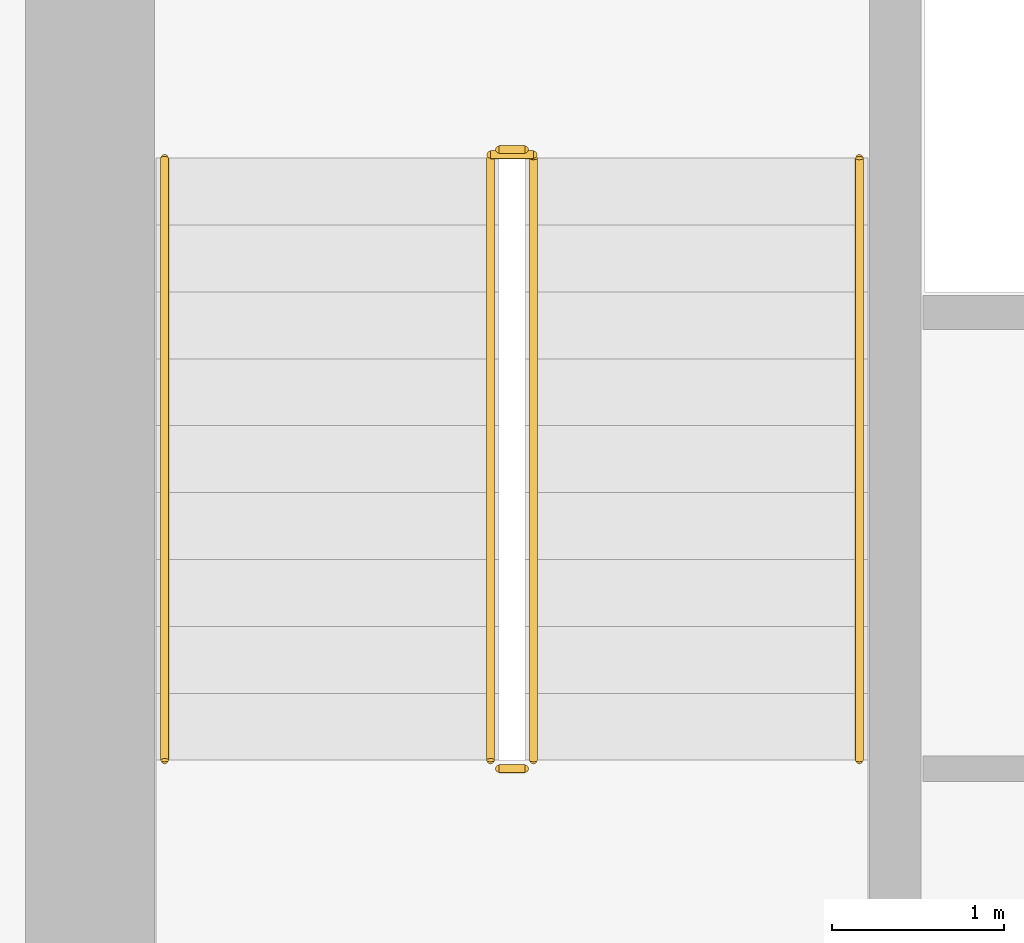
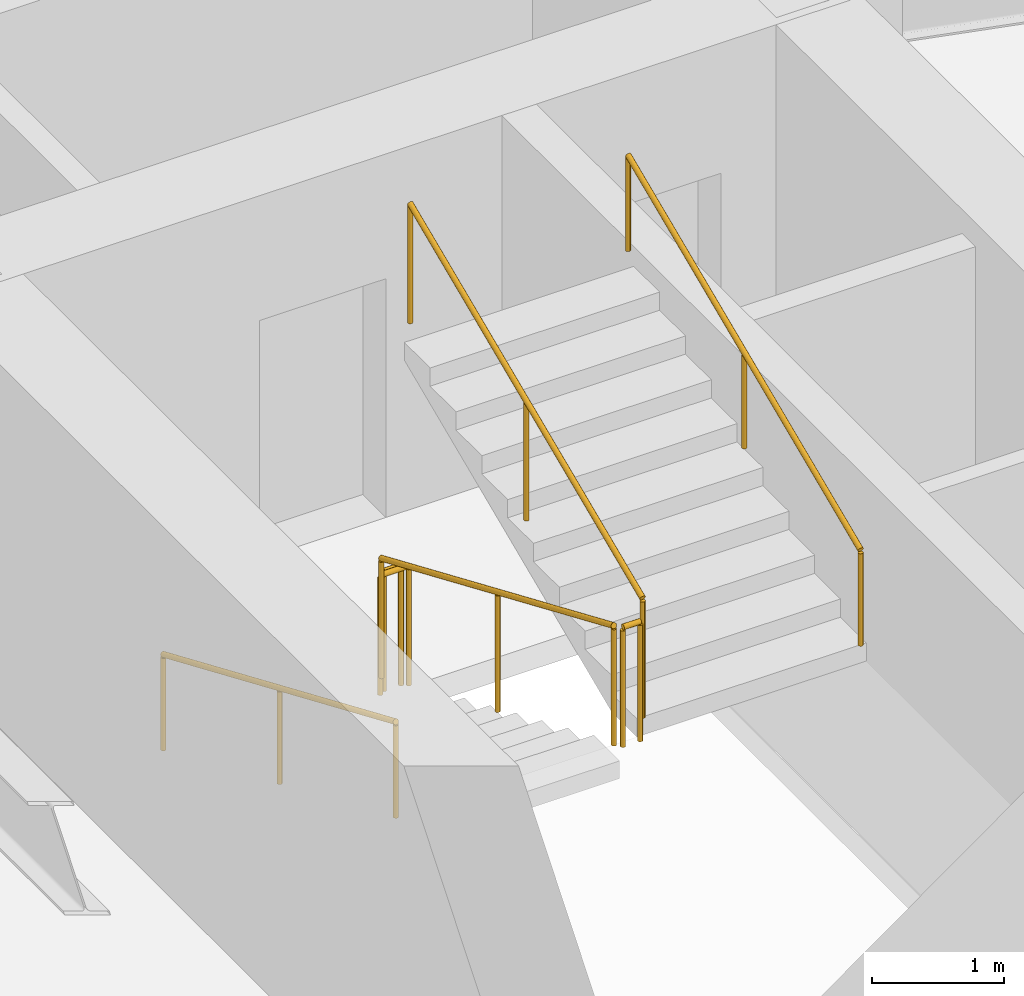
# One storey, part 30 of 33: 7 railings.
"""IFC4 building model written with IfcOpenShell, lengths in metres."""

from ifc_helpers import new_model, si_unit, direction, frame, origin, origin_2d, place, context, subcontext, project, spatial, circle, extrude, material, layer, layer_set, type_object, element, save


model = new_model("IFC4")

# Units and contexts
model_context = context("Model", 3, precision=1e-05, world=origin(), true_north=direction((0.0, 1.0)))
body_context = subcontext(model_context, "Body", "Model", "MODEL_VIEW")
ifc_project = project(units=[si_unit("LENGTHUNIT", "METRE"), si_unit("AREAUNIT", "SQUARE_METRE"), si_unit("VOLUMEUNIT", "CUBIC_METRE"), si_unit("PLANEANGLEUNIT", "RADIAN"), si_unit("MASSUNIT", "GRAM", prefix="KILO")], contexts=[model_context])

# Site, building, storey
site_placement = place(None, origin())
site = spatial("IfcSite", under=ifc_project, at=site_placement, CompositionType="ELEMENT")
building_placement = place(site_placement, origin())
building = spatial("IfcBuilding", under=site, at=building_placement, Name="Hatsunagi Terrace Concourse", CompositionType="ELEMENT")
storey_placement = place(building_placement, frame((0.0, 0.0, 53.35009765625)))
storey = spatial("IfcBuildingStorey", under=building, at=storey_placement, Name="L13", CompositionType="ELEMENT", Elevation=53.35009765625)

# Railings
ifc_material_1 = material(Name="Stainless steel", Category="steel")
ifc_layer_1 = layer(ifc_material_1, 0.044921875)
ifc_layer_set_1 = layer_set([ifc_layer_1], Name="StairPitchHandrail_Tower2000")
railing_type_1 = type_object("IfcRailingType", Name="StairPitchHandrail_Tower2000", PredefinedType="HANDRAIL", material=ifc_layer_set_1)
railing_1_placement = place(storey_placement, frame((36.550048828125, 32.659912109375, 0.16748046875)))
element("IfcRailing", 1, at=railing_1_placement, inside=storey, type_object=railing_type_1, Name="L13 ST-B stair handrail 1", PredefinedType="HANDRAIL", context=body_context, shape_type="SweptSolid", body=[
    extrude(circle(Radius=0.02392578125, at=origin_2d()), frame((0.0, 0.0, 0.8759765625), z_axis=(0.0, -0.918857182807, 0.394590265469), x_axis=(1.0, 0.0, 0.0)), (0.0, 0.0, 1.0), 3.820068359375),
    extrude(circle(Radius=0.02099609375, at=origin_2d()), origin(), (0.0, 0.0, 1.0), 0.851806640625),
    extrude(circle(Radius=0.02099609375, at=origin_2d()), frame((0.0, -1.7548828125, 0.753662109375)), (0.0, 0.0, 1.0), 0.851806640625),
    extrude(circle(Radius=0.02099609375, at=origin_2d()), frame((0.0, -3.510009765625, 1.50732421875)), (0.0, 0.0, 1.0), 0.851806640625),
])
railing_2_placement = place(storey_placement, frame((40.60009765625, 29.14990234375, 1.84228515625)))
element("IfcRailing", 2, at=railing_2_placement, inside=storey, type_object=railing_type_1, Name="L13 ST-B stair handrail 2", PredefinedType="HANDRAIL", context=body_context, shape_type="SweptSolid", body=[
    extrude(circle(Radius=0.02392578125, at=origin_2d()), frame((0.0, 0.0, 0.8759765625), z_axis=(0.0, 0.918834009242, 0.394644223904), x_axis=(-1.0, 0.0, 0.0)), (0.0, 0.0, 1.0), 3.820068359375),
    extrude(circle(Radius=0.02099609375, at=origin_2d()), origin(), (0.0, 0.0, 1.0), 0.851806640625),
    extrude(circle(Radius=0.02099609375, at=origin_2d()), frame((0.0, 1.7548828125, 0.75390625)), (0.0, 0.0, 1.0), 0.851806640625),
    extrude(circle(Radius=0.02099609375, at=origin_2d()), frame((0.0, 3.510009765625, 1.507568359375)), (0.0, 0.0, 1.0), 0.851806640625),
])
ifc_material_2 = material(Name="Stainless steel", Category="steel")
ifc_layer_2 = layer(ifc_material_2, 0.06005859375)
ifc_layer_set_2 = layer_set([ifc_layer_2], Name="StairWellGuard_Tower2000")
railing_type_2 = type_object("IfcRailingType", Name="StairWellGuard_Tower2000", PredefinedType="BALUSTRADE", material=ifc_layer_set_2)
railing_3_placement = place(storey_placement, frame((38.449951171875, 32.659912109375, 0.16748046875)))
element("IfcRailing", 3, at=railing_3_placement, inside=storey, type_object=railing_type_2, Name="L13 ST-B stair guard 1", PredefinedType="BALUSTRADE", context=body_context, shape_type="SweptSolid", body=[
    extrude(circle(Radius=0.02392578125, at=origin_2d()), frame((0.0, 0.0, 1.09619140625), z_axis=(0.0, -0.918857182807, 0.394590265469), x_axis=(1.0, 0.0, 0.0)), (0.0, 0.0, 1.0), 3.820068359375),
    extrude(circle(Radius=0.02099609375, at=origin_2d()), origin(), (0.0, 0.0, 1.0), 1.072021484375),
    extrude(circle(Radius=0.02099609375, at=origin_2d()), frame((0.0, -1.7548828125, 0.753662109375)), (0.0, 0.0, 1.0), 1.072021484375),
    extrude(circle(Radius=0.02099609375, at=origin_2d()), frame((0.0, -3.510009765625, 1.50732421875)), (0.0, 0.0, 1.0), 1.072021484375),
])
railing_4_placement = place(storey_placement, frame((38.5, 29.10009765625, 1.6748046875)))
element("IfcRailing", 4, at=railing_4_placement, inside=storey, type_object=railing_type_2, Name="L13 ST-B stair guard 2", PredefinedType="BALUSTRADE", context=body_context, shape_type="SweptSolid", body=[
    extrude(circle(Radius=0.02392578125, at=origin_2d()), frame((0.0, 0.0, 1.09619140625), z_axis=(1.0, 0.0, 0.0), x_axis=(0.0, 1.0, 0.0)), (0.0, 0.0, 1.0), 0.14990234375),
    extrude(circle(Radius=0.02099609375, at=origin_2d()), origin(), (0.0, 0.0, 1.0), 1.072021484375),
    extrude(circle(Radius=0.02099609375, at=origin_2d()), frame((0.14990234375, 0.0, 0.0)), (0.0, 0.0, 1.0), 1.072021484375),
])
railing_5_placement = place(storey_placement, frame((38.699951171875, 29.14990234375, 1.84228515625)))
element("IfcRailing", 5, at=railing_5_placement, inside=storey, type_object=railing_type_2, Name="L13 ST-B stair guard 3", PredefinedType="BALUSTRADE", context=body_context, shape_type="SweptSolid", body=[
    extrude(circle(Radius=0.02392578125, at=origin_2d()), frame((0.0, 0.0, 1.09619140625), z_axis=(0.0, 0.918834009242, 0.394644223904), x_axis=(-1.0, 0.0, 0.0)), (0.0, 0.0, 1.0), 3.820068359375),
    extrude(circle(Radius=0.02099609375, at=origin_2d()), origin(), (0.0, 0.0, 1.0), 1.072021484375),
    extrude(circle(Radius=0.02099609375, at=origin_2d()), frame((0.0, 1.7548828125, 0.75390625)), (0.0, 0.0, 1.0), 1.072021484375),
    extrude(circle(Radius=0.02099609375, at=origin_2d()), frame((0.0, 3.510009765625, 1.507568359375)), (0.0, 0.0, 1.0), 1.072021484375),
])
railing_6_placement = place(storey_placement, frame((38.5, 32.7099609375, 0.0)))
element("IfcRailing", 6, at=railing_6_placement, inside=storey, type_object=railing_type_2, Name="L13 ST-B stair guard 4", PredefinedType="BALUSTRADE", context=body_context, shape_type="SweptSolid", body=[
    extrude(circle(Radius=0.02392578125, at=origin_2d()), frame((0.0, 0.0, 1.09619140625), z_axis=(1.0, 0.0, 0.0), x_axis=(0.0, 1.0, 0.0)), (0.0, 0.0, 1.0), 0.14990234375),
    extrude(circle(Radius=0.02099609375, at=origin_2d()), origin(), (0.0, 0.0, 1.0), 1.072021484375),
    extrude(circle(Radius=0.02099609375, at=origin_2d()), frame((0.14990234375, 0.0, 0.0)), (0.0, 0.0, 1.0), 1.072021484375),
])
ifc_material_3 = material(Name="Stainless Steel SUS316 Post-and-Rail Guard", Category="steel")
ifc_layer_3 = layer(ifc_material_3, 0.080078125)
ifc_layer_set_3 = layer_set([ifc_layer_3], Name="TerracePlantedGuardRail_1200")
railing_type_3 = type_object("IfcRailingType", Name="TerracePlantedGuardRail_1200", PredefinedType="GUARDRAIL", material=ifc_layer_set_3)
railing_7_placement = place(storey_placement, frame((38.449951171875, 32.679931640625, 0.0)))
element("IfcRailing", 7, at=railing_7_placement, inside=storey, type_object=railing_type_3, Name="Stair ST-B Well Closure Guard L13", PredefinedType="GUARDRAIL", context=body_context, shape_type="SweptSolid", body=[
    extrude(circle(Radius=0.02392578125, at=origin_2d()), frame((0.0, 0.0, 1.09619140625), z_axis=(1.0, 0.0, 0.0), x_axis=(0.0, 1.0, 0.0)), (0.0, 0.0, 1.0), 0.25),
    extrude(circle(Radius=0.02099609375, at=origin_2d()), origin(), (0.0, 0.0, 1.0), 1.072021484375),
    extrude(circle(Radius=0.02099609375, at=origin_2d()), frame((0.25, 0.0, 0.0)), (0.0, 0.0, 1.0), 1.072021484375),
])

save(model, "model.ifc")
